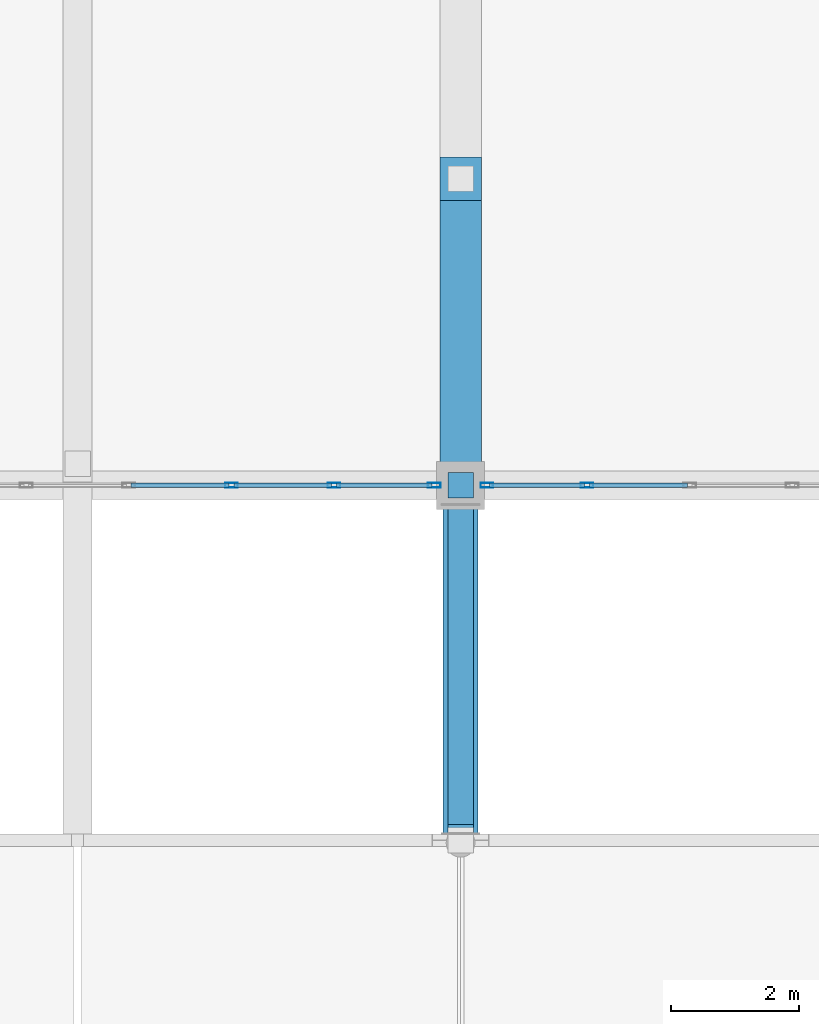
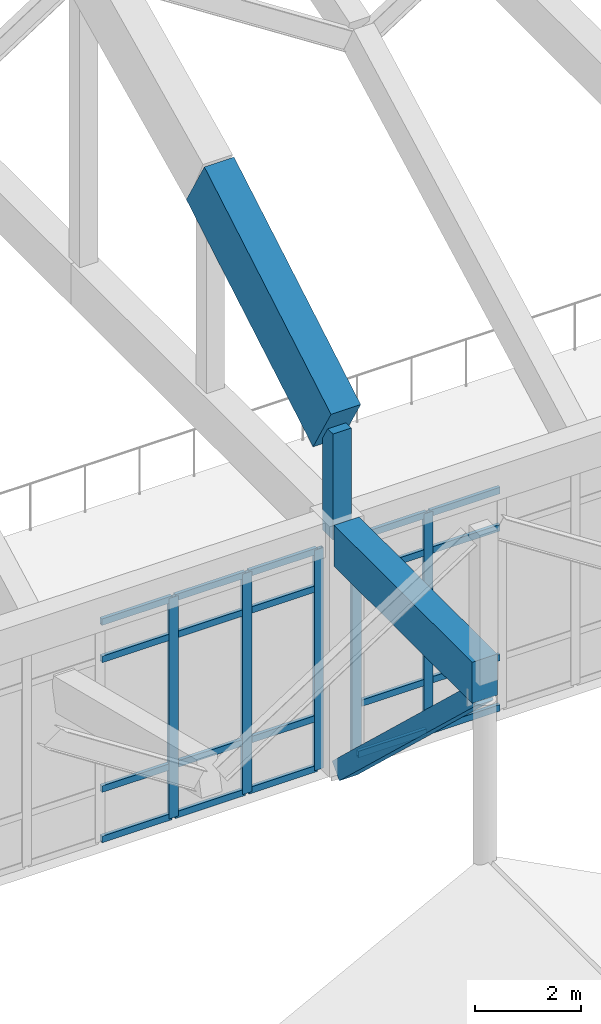
# One storey, part 56 of 236: 28 members, 1 beam, 2 elements without a shape of their own.
"""IFC4 building model written with IfcOpenShell, lengths in metres."""

from ifc_helpers import new_model, si_unit, direction, frame, origin, origin_2d, place, context, subcontext, project, spatial, rectangle, hollow_rectangle, extrude, material, layer, layer_set, material_profile, profile_set, type_object, element, aggregate, save


model = new_model("IFC4")

# Units and contexts
model_context = context("Model", 3, precision=1e-05, world=origin(), true_north=direction((0.0, 1.0)))
body_context = subcontext(model_context, "Body", "Model", "MODEL_VIEW")
ifc_project = project(units=[si_unit("LENGTHUNIT", "METRE"), si_unit("AREAUNIT", "SQUARE_METRE"), si_unit("VOLUMEUNIT", "CUBIC_METRE"), si_unit("PLANEANGLEUNIT", "RADIAN"), si_unit("MASSUNIT", "GRAM", prefix="KILO")], contexts=[model_context])

# Site, building, storey
site_placement = place(None, origin())
site = spatial("IfcSite", under=ifc_project, at=site_placement, CompositionType="ELEMENT")
building_placement = place(site_placement, origin())
building = spatial("IfcBuilding", under=site, at=building_placement, Name="Pandanus Reach Market Hall", CompositionType="ELEMENT")
storey_placement = place(building_placement, frame((0.0, 0.0, 5.39990234375)))
storey = spatial("IfcBuildingStorey", under=building, at=storey_placement, Name="L01", CompositionType="ELEMENT", Elevation=5.39990234375)

# Members
ifc_material_1 = material(Name="Concrete N50 (50 MPa)", Category="concrete")
ifc_material_profile_1 = material_profile(ifc_material_1, rectangle(XDim=0.64990234375, YDim=1.35009765625, at=origin_2d()), Name="RC650x1350", Category="LoadBearing")
ifc_profile_set_1 = profile_set([ifc_material_profile_1], Name="Concrete N50 (50 MPa)")
member_type_1 = type_object("IfcMemberType", Name="AR-RC650-E", PredefinedType="CHORD", material=ifc_profile_set_1)
member_1_placement = place(storey_placement, frame((108.0, 28.800048828125, 7.780029296875), z_axis=(0.0, 0.862897305689, 0.505379302935), x_axis=(-1.0, 0.0, 0.0)))
element("IfcMember", 1, at=member_1_placement, inside=storey, type_object=member_type_1, Name="Parabolic arch top chord A6.1", PredefinedType="CHORD", context=body_context, shape_type="SweptSolid", body=[
    extrude(rectangle(XDim=0.64990234375, YDim=1.35009765625, at=origin_2d()), origin(), (0.0, 0.0, 1.0), 5.562744140625),
])
ifc_material_profile_2 = material_profile(ifc_material_1, rectangle(XDim=0.39990234375, YDim=0.39990234375, at=origin_2d()), Name="RC400x400", Category="LoadBearing")
ifc_profile_set_2 = profile_set([ifc_material_profile_2], Name="Concrete N50 (50 MPa)")
member_type_2 = type_object("IfcMemberType", Name="AR-WEB400-E", PredefinedType="STRUT", material=ifc_profile_set_2)
member_2_placement = place(storey_placement, frame((108.0, 28.800048828125, 5.3251953125), z_axis=(0.0, 0.0, 1.0), x_axis=(1.0, 0.0, 0.0)))
element("IfcMember", 2, at=member_2_placement, inside=storey, type_object=member_type_2, Name="Arch springing concrete strut A6.S", PredefinedType="STRUT", context=body_context, shape_type="SweptSolid", body=[
    extrude(rectangle(XDim=0.39990234375, YDim=0.39990234375, at=origin_2d()), origin(), (0.0, 0.0, 1.0), 2.454833984375),
])

# Beam
ifc_material_profile_3 = material_profile(ifc_material_1, rectangle(XDim=0.550048828125, YDim=0.949951171875, at=origin_2d()), Name="RC550x950", Category="LoadBearing")
ifc_profile_set_3 = profile_set([ifc_material_profile_3], Name="Concrete N50 (50 MPa)")
beam_type = type_object("IfcBeamType", Name="BM-RC550-E", PredefinedType="BEAM", material=ifc_profile_set_3)
beam_placement = place(storey_placement, frame((108.0, 23.199951171875, 5.3251953125), z_axis=(0.0, 1.0, 0.0), x_axis=(-1.0, 0.0, 0.0)))
element("IfcBeam", 3, at=beam_placement, inside=storey, type_object=beam_type, Name="Zigzag south eaves cantilever girder A6", PredefinedType="BEAM", context=body_context, shape_type="SweptSolid", body=[
    extrude(rectangle(XDim=0.550048828125, YDim=0.949951171875, at=origin_2d()), origin(), (0.0, 0.0, 1.0), 5.22998046875),
])

# Curtain wall, members
ifc_material_2 = material(Name="Bronze anodised aluminium and low-E glass", Category="aluminium")
ifc_layer = layer(ifc_material_2, 0.199951171875, Name="CW-02")
ifc_layer_set = layer_set([ifc_layer], Name="Bronze anodised aluminium and low-E glass")
curtain_wall_type = type_object("IfcCurtainWallType", Name="CW-02", PredefinedType="NOTDEFINED", material=ifc_layer_set)
curtain_wall_1_placement = place(storey_placement, origin())
curtain_wall_1 = element("IfcCurtainWall", 4, at=curtain_wall_1_placement, inside=storey, type_object=curtain_wall_type, Name="Glazed curtain wall CW-02 CW-0006", PredefinedType="NOTDEFINED")
ifc_material_3 = material(Name="Bronze anodised aluminium", Category="aluminium")
ifc_material_profile_4 = material_profile(ifc_material_3, hollow_rectangle(XDim=0.074951171875, YDim=0.199951171875, WallThickness=0.00439453125, at=origin_2d()), Name="ALU75x200", Category="LoadBearing")
ifc_profile_set_4 = profile_set([ifc_material_profile_4], Name="Bronze anodised aluminium")
member_type_3 = type_object("IfcMemberType", Name="CW-M2", PredefinedType="MULLION", material=ifc_profile_set_4)
member_3_placement = place(storey_placement, frame((104.41064453125, 28.800048828125, 0.0), z_axis=(0.0, 0.0, 1.0), x_axis=(0.0, 1.0, 0.0)))
member_3 = element("IfcMember", 5, at=member_3_placement, type_object=member_type_3, Name="CW-02 mullion 6", PredefinedType="MULLION", context=body_context, shape_type="SweptSolid", body=[
    extrude(hollow_rectangle(XDim=0.074951171875, YDim=0.199951171875, WallThickness=0.00439453125, at=origin_2d()), origin(), (0.0, 0.0, 1.0), 5.10009765625),
])
member_4_placement = place(storey_placement, frame((106.017822265625, 28.800048828125, 0.0), z_axis=(0.0, 0.0, 1.0), x_axis=(0.0, 1.0, 0.0)))
member_4 = element("IfcMember", 6, at=member_4_placement, type_object=member_type_3, Name="CW-02 mullion 7", PredefinedType="MULLION", context=body_context, shape_type="SweptSolid", body=[
    extrude(hollow_rectangle(XDim=0.074951171875, YDim=0.199951171875, WallThickness=0.00439453125, at=origin_2d()), origin(), (0.0, 0.0, 1.0), 5.10009765625),
])
member_5_placement = place(storey_placement, frame((107.58740234375, 28.800048828125, 0.0), z_axis=(0.0, 0.0, 1.0), x_axis=(0.0, 1.0, 0.0)))
member_5 = element("IfcMember", 7, at=member_5_placement, type_object=member_type_3, Name="CW-02 mullion 8", PredefinedType="MULLION", context=body_context, shape_type="SweptSolid", body=[
    extrude(hollow_rectangle(XDim=0.074951171875, YDim=0.199951171875, WallThickness=0.00439453125, at=origin_2d()), origin(), (0.0, 0.0, 1.0), 5.10009765625),
])

curtain_wall_2_placement = place(storey_placement, origin())
curtain_wall_2 = element("IfcCurtainWall", 8, at=curtain_wall_2_placement, inside=storey, type_object=curtain_wall_type, Name="Glazed curtain wall CW-02 CW-0008", PredefinedType="NOTDEFINED")
member_6_placement = place(storey_placement, frame((108.41259765625, 28.800048828125, 0.0), z_axis=(0.0, 0.0, 1.0), x_axis=(0.0, 1.0, 0.0)))
member_6 = element("IfcMember", 9, at=member_6_placement, type_object=member_type_3, Name="CW-02 mullion 1", PredefinedType="MULLION", context=body_context, shape_type="SweptSolid", body=[
    extrude(hollow_rectangle(XDim=0.074951171875, YDim=0.199951171875, WallThickness=0.00439453125, at=origin_2d()), origin(), (0.0, 0.0, 1.0), 5.10009765625),
])
member_7_placement = place(storey_placement, frame((109.982177734375, 28.800048828125, 0.0), z_axis=(0.0, 0.0, 1.0), x_axis=(0.0, 1.0, 0.0)))
member_7 = element("IfcMember", 10, at=member_7_placement, type_object=member_type_3, Name="CW-02 mullion 2", PredefinedType="MULLION", context=body_context, shape_type="SweptSolid", body=[
    extrude(hollow_rectangle(XDim=0.074951171875, YDim=0.199951171875, WallThickness=0.00439453125, at=origin_2d()), origin(), (0.0, 0.0, 1.0), 5.10009765625),
])

# Member
ifc_material_profile_5 = material_profile(ifc_material_3, hollow_rectangle(XDim=0.074951171875, YDim=0.14990234375, WallThickness=0.00439453125, at=origin_2d()), Name="ALU75x150", Category="LoadBearing")
ifc_profile_set_5 = profile_set([ifc_material_profile_5], Name="Bronze anodised aluminium")
member_type_4 = type_object("IfcMemberType", Name="CW-T2", PredefinedType="USERDEFINED", material=ifc_profile_set_5)
member_8_placement = place(storey_placement, frame((102.841064453125, 28.800048828125, 0.03759765625), z_axis=(1.0, 0.0, 0.0), x_axis=(0.0, 1.0, 0.0)))
member_8 = element("IfcMember", 11, at=member_8_placement, type_object=member_type_4, Name="CW-02 transom 5.1", ObjectType="TRANSOM", PredefinedType="USERDEFINED", context=body_context, shape_type="SweptSolid", body=[
    extrude(hollow_rectangle(XDim=0.074951171875, YDim=0.14990234375, WallThickness=0.00439453125, at=origin_2d()), origin(), (0.0, 0.0, 1.0), 1.5322265625),
])

member_9_placement = place(storey_placement, frame((102.841064453125, 28.800048828125, 1.2001953125), z_axis=(1.0, 0.0, 0.0), x_axis=(0.0, 1.0, 0.0)))
member_9 = element("IfcMember", 12, at=member_9_placement, type_object=member_type_4, Name="CW-02 transom 5.2", ObjectType="TRANSOM", PredefinedType="USERDEFINED", context=body_context, shape_type="SweptSolid", body=[
    extrude(hollow_rectangle(XDim=0.074951171875, YDim=0.14990234375, WallThickness=0.00439453125, at=origin_2d()), origin(), (0.0, 0.0, 1.0), 1.5322265625),
])

member_10_placement = place(storey_placement, frame((102.841064453125, 28.800048828125, 4.2001953125), z_axis=(1.0, 0.0, 0.0), x_axis=(0.0, 1.0, 0.0)))
member_10 = element("IfcMember", 13, at=member_10_placement, type_object=member_type_4, Name="CW-02 transom 5.3", ObjectType="TRANSOM", PredefinedType="USERDEFINED", context=body_context, shape_type="SweptSolid", body=[
    extrude(hollow_rectangle(XDim=0.074951171875, YDim=0.14990234375, WallThickness=0.00439453125, at=origin_2d()), origin(), (0.0, 0.0, 1.0), 1.5322265625),
])

member_11_placement = place(storey_placement, frame((102.841064453125, 28.800048828125, 5.0625), z_axis=(1.0, 0.0, 0.0), x_axis=(0.0, 1.0, 0.0)))
member_11 = element("IfcMember", 14, at=member_11_placement, type_object=member_type_4, Name="CW-02 transom 5.4", ObjectType="TRANSOM", PredefinedType="USERDEFINED", context=body_context, shape_type="SweptSolid", body=[
    extrude(hollow_rectangle(XDim=0.074951171875, YDim=0.14990234375, WallThickness=0.00439453125, at=origin_2d()), origin(), (0.0, 0.0, 1.0), 1.5322265625),
])

member_12_placement = place(storey_placement, frame((104.4482421875, 28.800048828125, 0.03759765625), z_axis=(1.0, 0.0, 0.0), x_axis=(0.0, 1.0, 0.0)))
member_12 = element("IfcMember", 15, at=member_12_placement, type_object=member_type_4, Name="CW-02 transom 6.1", ObjectType="TRANSOM", PredefinedType="USERDEFINED", context=body_context, shape_type="SweptSolid", body=[
    extrude(hollow_rectangle(XDim=0.074951171875, YDim=0.14990234375, WallThickness=0.00439453125, at=origin_2d()), origin(), (0.0, 0.0, 1.0), 1.5322265625),
])

member_13_placement = place(storey_placement, frame((104.4482421875, 28.800048828125, 1.2001953125), z_axis=(1.0, 0.0, 0.0), x_axis=(0.0, 1.0, 0.0)))
member_13 = element("IfcMember", 16, at=member_13_placement, type_object=member_type_4, Name="CW-02 transom 6.2", ObjectType="TRANSOM", PredefinedType="USERDEFINED", context=body_context, shape_type="SweptSolid", body=[
    extrude(hollow_rectangle(XDim=0.074951171875, YDim=0.14990234375, WallThickness=0.00439453125, at=origin_2d()), origin(), (0.0, 0.0, 1.0), 1.5322265625),
])

member_14_placement = place(storey_placement, frame((104.4482421875, 28.800048828125, 4.2001953125), z_axis=(1.0, 0.0, 0.0), x_axis=(0.0, 1.0, 0.0)))
member_14 = element("IfcMember", 17, at=member_14_placement, type_object=member_type_4, Name="CW-02 transom 6.3", ObjectType="TRANSOM", PredefinedType="USERDEFINED", context=body_context, shape_type="SweptSolid", body=[
    extrude(hollow_rectangle(XDim=0.074951171875, YDim=0.14990234375, WallThickness=0.00439453125, at=origin_2d()), origin(), (0.0, 0.0, 1.0), 1.5322265625),
])

member_15_placement = place(storey_placement, frame((104.4482421875, 28.800048828125, 5.0625), z_axis=(1.0, 0.0, 0.0), x_axis=(0.0, 1.0, 0.0)))
member_15 = element("IfcMember", 18, at=member_15_placement, type_object=member_type_4, Name="CW-02 transom 6.4", ObjectType="TRANSOM", PredefinedType="USERDEFINED", context=body_context, shape_type="SweptSolid", body=[
    extrude(hollow_rectangle(XDim=0.074951171875, YDim=0.14990234375, WallThickness=0.00439453125, at=origin_2d()), origin(), (0.0, 0.0, 1.0), 1.5322265625),
])

member_16_placement = place(storey_placement, frame((106.055419921875, 28.800048828125, 0.03759765625), z_axis=(1.0, 0.0, 0.0), x_axis=(0.0, 1.0, 0.0)))
member_16 = element("IfcMember", 19, at=member_16_placement, type_object=member_type_4, Name="CW-02 transom 7.1", ObjectType="TRANSOM", PredefinedType="USERDEFINED", context=body_context, shape_type="SweptSolid", body=[
    extrude(hollow_rectangle(XDim=0.074951171875, YDim=0.14990234375, WallThickness=0.00439453125, at=origin_2d()), origin(), (0.0, 0.0, 1.0), 1.49462890625),
])

member_17_placement = place(storey_placement, frame((106.055419921875, 28.800048828125, 1.2001953125), z_axis=(1.0, 0.0, 0.0), x_axis=(0.0, 1.0, 0.0)))
member_17 = element("IfcMember", 20, at=member_17_placement, type_object=member_type_4, Name="CW-02 transom 7.2", ObjectType="TRANSOM", PredefinedType="USERDEFINED", context=body_context, shape_type="SweptSolid", body=[
    extrude(hollow_rectangle(XDim=0.074951171875, YDim=0.14990234375, WallThickness=0.00439453125, at=origin_2d()), origin(), (0.0, 0.0, 1.0), 1.49462890625),
])

member_18_placement = place(storey_placement, frame((106.055419921875, 28.800048828125, 4.2001953125), z_axis=(1.0, 0.0, 0.0), x_axis=(0.0, 1.0, 0.0)))
member_18 = element("IfcMember", 21, at=member_18_placement, type_object=member_type_4, Name="CW-02 transom 7.3", ObjectType="TRANSOM", PredefinedType="USERDEFINED", context=body_context, shape_type="SweptSolid", body=[
    extrude(hollow_rectangle(XDim=0.074951171875, YDim=0.14990234375, WallThickness=0.00439453125, at=origin_2d()), origin(), (0.0, 0.0, 1.0), 1.49462890625),
])

member_19_placement = place(storey_placement, frame((106.055419921875, 28.800048828125, 5.0625), z_axis=(1.0, 0.0, 0.0), x_axis=(0.0, 1.0, 0.0)))
member_19 = element("IfcMember", 22, at=member_19_placement, type_object=member_type_4, Name="CW-02 transom 7.4", ObjectType="TRANSOM", PredefinedType="USERDEFINED", context=body_context, shape_type="SweptSolid", body=[
    extrude(hollow_rectangle(XDim=0.074951171875, YDim=0.14990234375, WallThickness=0.00439453125, at=origin_2d()), origin(), (0.0, 0.0, 1.0), 1.49462890625),
])

aggregate(curtain_wall_1, [member_3, member_4, member_5, member_8, member_9, member_10, member_11, member_12, member_13, member_14, member_15, member_16, member_17, member_18, member_19])

member_20_placement = place(storey_placement, frame((108.449951171875, 28.800048828125, 0.03759765625), z_axis=(1.0, 0.0, 0.0), x_axis=(0.0, 1.0, 0.0)))
member_20 = element("IfcMember", 23, at=member_20_placement, type_object=member_type_4, Name="CW-02 transom 1.1", ObjectType="TRANSOM", PredefinedType="USERDEFINED", context=body_context, shape_type="SweptSolid", body=[
    extrude(hollow_rectangle(XDim=0.074951171875, YDim=0.14990234375, WallThickness=0.00439453125, at=origin_2d()), origin(), (0.0, 0.0, 1.0), 1.49462890625),
])

member_21_placement = place(storey_placement, frame((108.449951171875, 28.800048828125, 1.2001953125), z_axis=(1.0, 0.0, 0.0), x_axis=(0.0, 1.0, 0.0)))
member_21 = element("IfcMember", 24, at=member_21_placement, type_object=member_type_4, Name="CW-02 transom 1.2", ObjectType="TRANSOM", PredefinedType="USERDEFINED", context=body_context, shape_type="SweptSolid", body=[
    extrude(hollow_rectangle(XDim=0.074951171875, YDim=0.14990234375, WallThickness=0.00439453125, at=origin_2d()), origin(), (0.0, 0.0, 1.0), 1.49462890625),
])

member_22_placement = place(storey_placement, frame((108.449951171875, 28.800048828125, 4.2001953125), z_axis=(1.0, 0.0, 0.0), x_axis=(0.0, 1.0, 0.0)))
member_22 = element("IfcMember", 25, at=member_22_placement, type_object=member_type_4, Name="CW-02 transom 1.3", ObjectType="TRANSOM", PredefinedType="USERDEFINED", context=body_context, shape_type="SweptSolid", body=[
    extrude(hollow_rectangle(XDim=0.074951171875, YDim=0.14990234375, WallThickness=0.00439453125, at=origin_2d()), origin(), (0.0, 0.0, 1.0), 1.49462890625),
])

member_23_placement = place(storey_placement, frame((108.449951171875, 28.800048828125, 5.0625), z_axis=(1.0, 0.0, 0.0), x_axis=(0.0, 1.0, 0.0)))
member_23 = element("IfcMember", 26, at=member_23_placement, type_object=member_type_4, Name="CW-02 transom 1.4", ObjectType="TRANSOM", PredefinedType="USERDEFINED", context=body_context, shape_type="SweptSolid", body=[
    extrude(hollow_rectangle(XDim=0.074951171875, YDim=0.14990234375, WallThickness=0.00439453125, at=origin_2d()), origin(), (0.0, 0.0, 1.0), 1.49462890625),
])

member_24_placement = place(storey_placement, frame((110.01953125, 28.800048828125, 0.03759765625), z_axis=(1.0, 0.0, 0.0), x_axis=(0.0, 1.0, 0.0)))
member_24 = element("IfcMember", 27, at=member_24_placement, type_object=member_type_4, Name="CW-02 transom 2.1", ObjectType="TRANSOM", PredefinedType="USERDEFINED", context=body_context, shape_type="SweptSolid", body=[
    extrude(hollow_rectangle(XDim=0.074951171875, YDim=0.14990234375, WallThickness=0.00439453125, at=origin_2d()), origin(), (0.0, 0.0, 1.0), 1.5322265625),
])

member_25_placement = place(storey_placement, frame((110.01953125, 28.800048828125, 1.2001953125), z_axis=(1.0, 0.0, 0.0), x_axis=(0.0, 1.0, 0.0)))
member_25 = element("IfcMember", 28, at=member_25_placement, type_object=member_type_4, Name="CW-02 transom 2.2", ObjectType="TRANSOM", PredefinedType="USERDEFINED", context=body_context, shape_type="SweptSolid", body=[
    extrude(hollow_rectangle(XDim=0.074951171875, YDim=0.14990234375, WallThickness=0.00439453125, at=origin_2d()), origin(), (0.0, 0.0, 1.0), 1.5322265625),
])

member_26_placement = place(storey_placement, frame((110.01953125, 28.800048828125, 4.2001953125), z_axis=(1.0, 0.0, 0.0), x_axis=(0.0, 1.0, 0.0)))
member_26 = element("IfcMember", 29, at=member_26_placement, type_object=member_type_4, Name="CW-02 transom 2.3", ObjectType="TRANSOM", PredefinedType="USERDEFINED", context=body_context, shape_type="SweptSolid", body=[
    extrude(hollow_rectangle(XDim=0.074951171875, YDim=0.14990234375, WallThickness=0.00439453125, at=origin_2d()), origin(), (0.0, 0.0, 1.0), 1.5322265625),
])

member_27_placement = place(storey_placement, frame((110.01953125, 28.800048828125, 5.0625), z_axis=(1.0, 0.0, 0.0), x_axis=(0.0, 1.0, 0.0)))
member_27 = element("IfcMember", 30, at=member_27_placement, type_object=member_type_4, Name="CW-02 transom 2.4", ObjectType="TRANSOM", PredefinedType="USERDEFINED", context=body_context, shape_type="SweptSolid", body=[
    extrude(hollow_rectangle(XDim=0.074951171875, YDim=0.14990234375, WallThickness=0.00439453125, at=origin_2d()), origin(), (0.0, 0.0, 1.0), 1.5322265625),
])

aggregate(curtain_wall_2, [member_6, member_7, member_20, member_21, member_22, member_23, member_24, member_25, member_26, member_27])

ifc_material_profile_6 = material_profile(ifc_material_1, rectangle(XDim=0.39990234375, YDim=0.39990234375, at=origin_2d()), Name="RC400x400", Category="LoadBearing")
ifc_profile_set_6 = profile_set([ifc_material_profile_6], Name="Concrete N50 (50 MPa)")
member_type_5 = type_object("IfcMemberType", Name="VS-RC400-E", PredefinedType="STRUT", material=ifc_profile_set_6)
member_28_placement = place(storey_placement, frame((108.0, 28.5, 0.050048828125), z_axis=(0.0, -0.72797908325, 0.68559933952), x_axis=(1.0, 0.0, 0.0)))
element("IfcMember", 31, at=member_28_placement, inside=storey, type_object=member_type_5, Name="Splayed concrete south arcade V-strut A6.1", PredefinedType="STRUT", context=body_context, shape_type="SweptSolid", body=[
    extrude(rectangle(XDim=0.39990234375, YDim=0.39990234375, at=origin_2d()), origin(), (0.0, 0.0, 1.0), 7.07421875),
])

save(model, "model.ifc")
